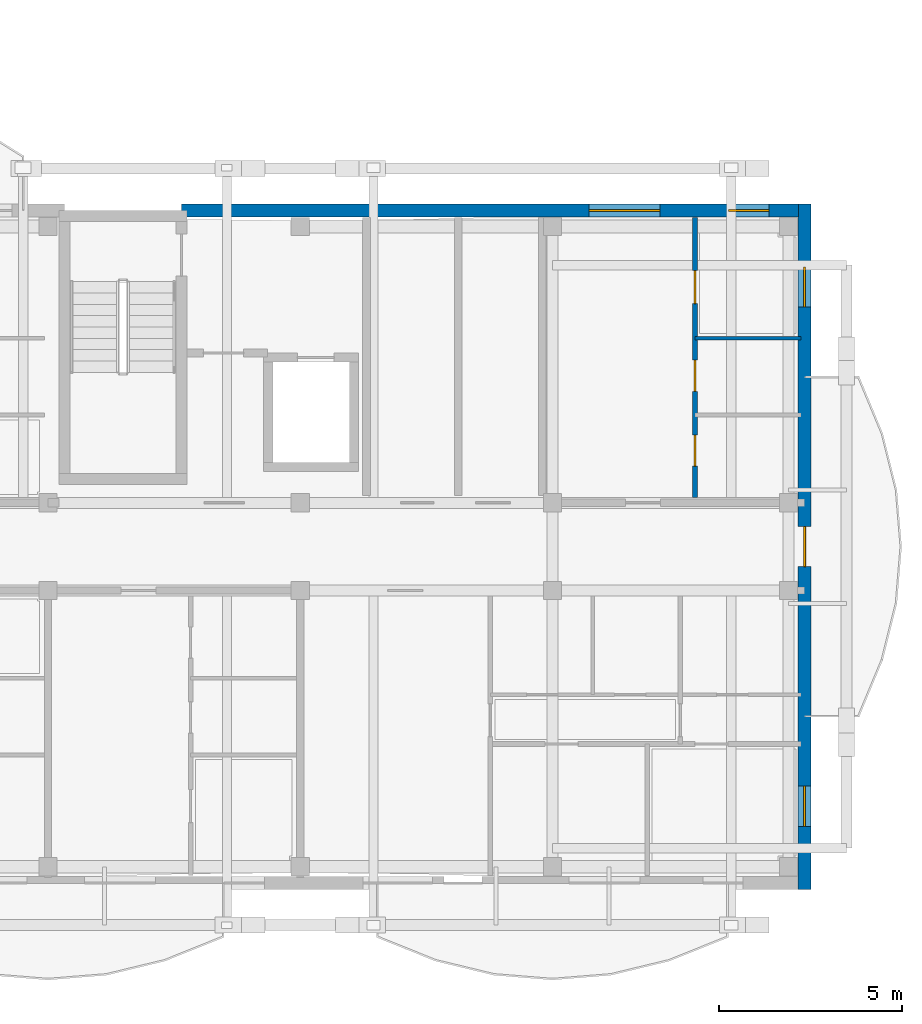
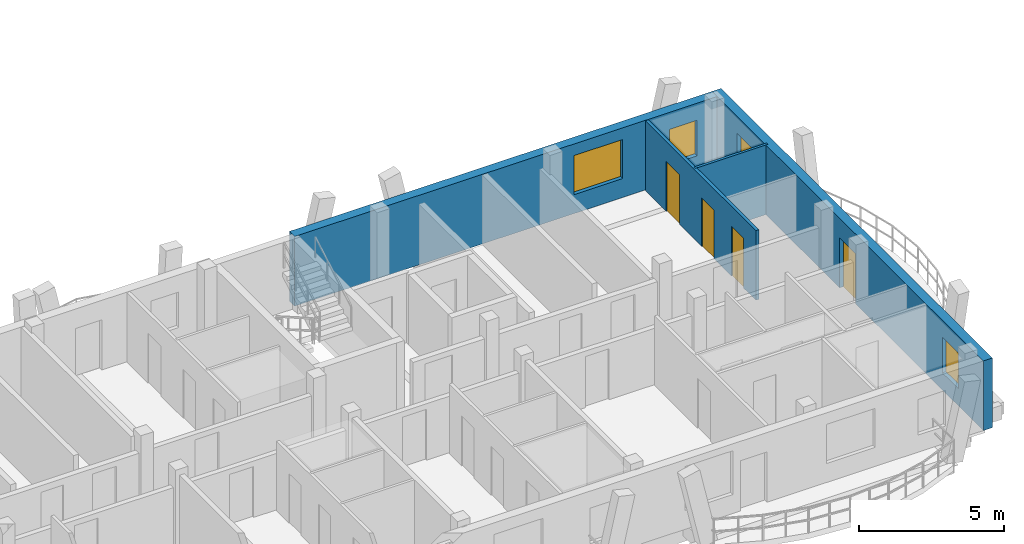
# One storey, part 33 of 50: 4 doors, 4 walls, 4 windows, 8 openings.
"""IFC4 building model written with IfcOpenShell, lengths in metres."""

from ifc_helpers import new_model, si_unit, direction, frame, frame_2d, origin, origin_with_axes, place, context, subcontext, project, spatial, rectangle, extrude, material, layer, layer_set, type_object, element, fill, save


model = new_model("IFC4")

# Units and contexts
model_context = context("Model", 3, precision=1e-05, world=origin(), true_north=direction((0.0, 1.0)))
body_context = subcontext(model_context, "Body", "Model", "MODEL_VIEW")
ifc_project = project(units=[si_unit("LENGTHUNIT", "METRE"), si_unit("AREAUNIT", "SQUARE_METRE"), si_unit("VOLUMEUNIT", "CUBIC_METRE"), si_unit("PLANEANGLEUNIT", "RADIAN"), si_unit("MASSUNIT", "GRAM", prefix="KILO")], contexts=[model_context])

# Site, building, storey
site_placement = place(None, origin())
site = spatial("IfcSite", under=ifc_project, at=site_placement, CompositionType="ELEMENT")
building_placement = place(site_placement, origin())
building = spatial("IfcBuilding", under=site, at=building_placement, Name="Zavelmont Quarter", CompositionType="ELEMENT")
storey_placement = place(building_placement, frame((0.0, 0.0, 11.199951171875)))
storey = spatial("IfcBuildingStorey", under=building, at=storey_placement, Name="L03", CompositionType="ELEMENT", Elevation=11.199951171875)

# Wall, openings, windows
ifc_material_1 = material(Name="Natural Belgian limestone", Category="masonry")
ifc_layer_1 = layer(ifc_material_1, 0.360107421875)
ifc_layer_set_1 = layer_set([ifc_layer_1], Name="Natural Belgian limestone")
wall_type_1 = type_object("IfcWallType", Name="EW02", PredefinedType="STANDARD", material=ifc_layer_set_1)
wall_1_placement = place(storey_placement, frame((150.949951171875, 18.39990234375, 0.0), z_axis=(0.0, 0.0, 1.0), x_axis=(1.0, 0.0, 0.0)))
wall_1 = element("IfcWall", 1, at=wall_1_placement, inside=storey, type_object=wall_type_1, Name="L03 exterior limestone wall EW02", PredefinedType="STANDARD", context=body_context, shape_type="SweptSolid", body=[
    extrude(rectangle(XDim=16.880126953125, YDim=0.360107421875, at=frame_2d((8.43994140625, 0.0))), origin(), (0.0, 0.0, 1.0), 2.93994140625),
])
opening_1_placement = place(wall_1_placement, frame((11.14501953125, 0.0, 0.800048828125)))
opening_1 = element("IfcOpeningElement", 2, at=opening_1_placement, cuts=wall_1, Name="Opening WN24", PredefinedType="OPENING", context=body_context, shape_type="SweptSolid", body=[
    extrude(rectangle(XDim=1.949951171875, YDim=1.64990234375, at=frame_2d((0.97509765625, 0.824951171875))), frame((0.0, 0.19189453125, 0.0), z_axis=(0.0, -1.0, 0.0), x_axis=(1.0, 0.0, 0.0)), (0.0, 0.0, 1.0), 0.384033203125),
])
opening_2_placement = place(wall_1_placement, frame((14.969970703125, 0.0, 0.719970703125)))
opening_2 = element("IfcOpeningElement", 3, at=opening_2_placement, cuts=wall_1, Name="Opening WN09", PredefinedType="OPENING", context=body_context, shape_type="SweptSolid", body=[
    extrude(rectangle(XDim=1.10009765625, YDim=1.5, at=frame_2d((0.550048828125, 0.75))), frame((0.0, 0.19189453125, 0.0), z_axis=(0.0, -1.0, 0.0), x_axis=(1.0, 0.0, 0.0)), (0.0, 0.0, 1.0), 0.384033203125),
])
ifc_material_2 = material(Name="Double low-E insulated glazing in thermally broken aluminium frame", Category="aluminium")
window_type_1 = type_object("IfcWindowType", Name="WN09", PartitioningType="SINGLE_PANEL", PredefinedType="WINDOW", material=ifc_material_2)
window_1_placement = place(opening_2_placement, origin_with_axes())
window_1 = element("IfcWindow", 4, at=window_1_placement, inside=storey, type_object=window_type_1, Name="L03 window WN09", OverallHeight=1.5, OverallWidth=1.10009765625, PartitioningType="SINGLE_PANEL", PredefinedType="WINDOW", context=body_context, shape_type="SweptSolid", body=[
    extrude(rectangle(XDim=1.10009765625, YDim=1.5, at=frame_2d((0.550048828125, 0.75))), frame((0.0, 0.030029296875, 0.0), z_axis=(0.0, -1.0, 0.0), x_axis=(1.0, 0.0, 0.0)), (0.0, 0.0, 1.0), 0.06005859375),
])
fill(opening_2, window_1)
window_type_2 = type_object("IfcWindowType", Name="WN24", PartitioningType="SINGLE_PANEL", PredefinedType="WINDOW", material=ifc_material_2)
window_2_placement = place(opening_1_placement, origin_with_axes())
window_2 = element("IfcWindow", 5, at=window_2_placement, inside=storey, type_object=window_type_2, Name="L03 window WN24", OverallHeight=1.64990234375, OverallWidth=1.949951171875, PartitioningType="SINGLE_PANEL", PredefinedType="WINDOW", context=body_context, shape_type="SweptSolid", body=[
    extrude(rectangle(XDim=1.949951171875, YDim=1.64990234375, at=frame_2d((0.97509765625, 0.824951171875))), frame((0.0, 0.030029296875, 0.0), z_axis=(0.0, -1.0, 0.0), x_axis=(1.0, 0.0, 0.0)), (0.0, 0.0, 1.0), 0.06005859375),
])
fill(opening_1, window_2)

# Wall, openings, door, windows
wall_2_placement = place(storey_placement, frame((168.0, -0.179931640625, 0.0), z_axis=(0.0, 0.0, 1.0), x_axis=(0.0, 1.0, 0.0)))
wall_2 = element("IfcWall", 6, at=wall_2_placement, inside=storey, type_object=wall_type_1, Name="L03 exterior limestone wall EW02", PredefinedType="STANDARD", context=body_context, shape_type="SweptSolid", body=[
    extrude(rectangle(XDim=18.760009765625, YDim=0.360107421875, at=frame_2d((9.3798828125, 0.0))), origin(), (0.0, 0.0, 1.0), 2.93994140625),
])
opening_3_placement = place(wall_2_placement, frame((8.830078125, 0.0, 0.0)))
opening_3 = element("IfcOpeningElement", 7, at=opening_3_placement, cuts=wall_2, Name="Opening DR04B", PredefinedType="OPENING", context=body_context, shape_type="SweptSolid", body=[
    extrude(rectangle(XDim=1.10009765625, YDim=2.10009765625, at=frame_2d((0.550048828125, 1.050048828125))), frame((0.0, 0.19189453125, 0.0), z_axis=(0.0, -1.0, 0.0), x_axis=(1.0, 0.0, 0.0)), (0.0, 0.0, 1.0), 0.384033203125),
])
opening_4_placement = place(wall_2_placement, frame((1.72998046875, 0.0, 0.719970703125)))
opening_4 = element("IfcOpeningElement", 8, at=opening_4_placement, cuts=wall_2, Name="Opening WN09", PredefinedType="OPENING", context=body_context, shape_type="SweptSolid", body=[
    extrude(rectangle(XDim=1.10009765625, YDim=1.5, at=frame_2d((0.550048828125, 0.75))), frame((0.0, 0.19189453125, 0.0), z_axis=(0.0, -1.0, 0.0), x_axis=(1.0, 0.0, 0.0)), (0.0, 0.0, 1.0), 0.384033203125),
])
opening_5_placement = place(wall_2_placement, frame((15.929931640625, 0.0, 0.719970703125)))
opening_5 = element("IfcOpeningElement", 9, at=opening_5_placement, cuts=wall_2, Name="Opening WN09", PredefinedType="OPENING", context=body_context, shape_type="SweptSolid", body=[
    extrude(rectangle(XDim=1.10009765625, YDim=1.5, at=frame_2d((0.550048828125, 0.75))), frame((0.0, 0.19189453125, 0.0), z_axis=(0.0, -1.0, 0.0), x_axis=(1.0, 0.0, 0.0)), (0.0, 0.0, 1.0), 0.384033203125),
])
ifc_material_3 = material(Name="Thermally broken aluminium and double safety glass", Category="aluminium")
door_type_1 = type_object("IfcDoorType", Name="DR04B", OperationType="NOTDEFINED", PredefinedType="DOOR", material=ifc_material_3)
door_1_placement = place(opening_3_placement, origin_with_axes())
door_1 = element("IfcDoor", 10, at=door_1_placement, inside=storey, type_object=door_type_1, Name="Block D L03 terrace or vase balcony door", OperationType="SINGLE_SWING_RIGHT", OverallHeight=2.10009765625, OverallWidth=1.10009765625, PredefinedType="DOOR", context=body_context, shape_type="SweptSolid", body=[
    extrude(rectangle(XDim=1.10009765625, YDim=2.10009765625, at=frame_2d((0.550048828125, 1.050048828125))), frame((0.0, 0.02490234375, 0.0), z_axis=(0.0, -1.0, 0.0), x_axis=(1.0, 0.0, 0.0)), (0.0, 0.0, 1.0), 0.050048828125),
])
fill(opening_3, door_1)
window_3_placement = place(opening_4_placement, origin_with_axes())
window_3 = element("IfcWindow", 11, at=window_3_placement, inside=storey, type_object=window_type_1, Name="L03 window WN09", OverallHeight=1.5, OverallWidth=1.10009765625, PartitioningType="SINGLE_PANEL", PredefinedType="WINDOW", context=body_context, shape_type="SweptSolid", body=[
    extrude(rectangle(XDim=1.10009765625, YDim=1.5, at=frame_2d((0.550048828125, 0.75))), frame((0.0, 0.030029296875, 0.0), z_axis=(0.0, -1.0, 0.0), x_axis=(1.0, 0.0, 0.0)), (0.0, 0.0, 1.0), 0.06005859375),
])
fill(opening_4, window_3)
window_4_placement = place(opening_5_placement, origin_with_axes())
window_4 = element("IfcWindow", 12, at=window_4_placement, inside=storey, type_object=window_type_1, Name="L03 window WN09", OverallHeight=1.5, OverallWidth=1.10009765625, PartitioningType="SINGLE_PANEL", PredefinedType="WINDOW", context=body_context, shape_type="SweptSolid", body=[
    extrude(rectangle(XDim=1.10009765625, YDim=1.5, at=frame_2d((0.550048828125, 0.75))), frame((0.0, 0.030029296875, 0.0), z_axis=(0.0, -1.0, 0.0), x_axis=(1.0, 0.0, 0.0)), (0.0, 0.0, 1.0), 0.06005859375),
])
fill(opening_5, window_4)

# Wall, openings, doors
ifc_material_4 = material(Name="Double gypsum board on acoustic steel stud", Category="steel")
ifc_layer_2 = layer(ifc_material_4, 0.125)
ifc_layer_set_2 = layer_set([ifc_layer_2], Name="Double gypsum board on acoustic steel stud")
wall_type_2 = type_object("IfcWallType", Name="IW03", PredefinedType="PARTITIONING", material=ifc_layer_set_2)
wall_3_placement = place(storey_placement, frame((165.0, 10.550048828125, 0.0), z_axis=(0.0, 0.0, 1.0), x_axis=(0.0, 1.0, 0.0)))
wall_3 = element("IfcWall", 13, at=wall_3_placement, inside=storey, type_object=wall_type_2, Name="L03 Partition IW03", PredefinedType="PARTITIONING", context=body_context, shape_type="SweptSolid", body=[
    extrude(rectangle(XDim=7.64990234375, YDim=0.125, at=frame_2d((3.824951171875, 0.0))), origin(), (0.0, 0.0, 1.0), 2.93994140625),
])
opening_6_placement = place(wall_3_placement, frame((0.85009765625, 0.0, 0.0)))
opening_6 = element("IfcOpeningElement", 14, at=opening_6_placement, cuts=wall_3, Name="Opening DR16", PredefinedType="OPENING", context=body_context, shape_type="SweptSolid", body=[
    extrude(rectangle(XDim=0.85009765625, YDim=2.10009765625, at=frame_2d((0.425048828125, 1.050048828125))), frame((0.0, 0.074462890625, 0.0), z_axis=(0.0, -1.0, 0.0), x_axis=(1.0, 0.0, 0.0)), (0.0, 0.0, 1.0), 0.14892578125),
])
opening_7_placement = place(wall_3_placement, frame((2.89990234375, 0.0, 0.0)))
opening_7 = element("IfcOpeningElement", 15, at=opening_7_placement, cuts=wall_3, Name="Opening DR06", PredefinedType="OPENING", context=body_context, shape_type="SweptSolid", body=[
    extrude(rectangle(XDim=0.85009765625, YDim=2.050048828125, at=frame_2d((0.425048828125, 1.02490234375))), frame((0.0, 0.074462890625, 0.0), z_axis=(0.0, -1.0, 0.0), x_axis=(1.0, 0.0, 0.0)), (0.0, 0.0, 1.0), 0.14892578125),
])
opening_8_placement = place(wall_3_placement, frame((5.300048828125, 0.0, 0.0)))
opening_8 = element("IfcOpeningElement", 16, at=opening_8_placement, cuts=wall_3, Name="Opening DR05", PredefinedType="OPENING", context=body_context, shape_type="SweptSolid", body=[
    extrude(rectangle(XDim=0.89990234375, YDim=2.10009765625, at=frame_2d((0.449951171875, 1.050048828125))), frame((0.0, 0.074462890625, 0.0), z_axis=(0.0, -1.0, 0.0), x_axis=(1.0, 0.0, 0.0)), (0.0, 0.0, 1.0), 0.14892578125),
])
ifc_material_5 = material(Name="Engineered oak flush interior door")
door_type_2 = type_object("IfcDoorType", Name="DR05", OperationType="NOTDEFINED", PredefinedType="DOOR", material=ifc_material_5)
door_2_placement = place(opening_8_placement, origin_with_axes())
door_2 = element("IfcDoor", 17, at=door_2_placement, inside=storey, type_object=door_type_2, Name="L03 door DR05", OperationType="SINGLE_SWING_RIGHT", OverallHeight=2.10009765625, OverallWidth=0.89990234375, PredefinedType="DOOR", context=body_context, shape_type="SweptSolid", body=[
    extrude(rectangle(XDim=0.89990234375, YDim=2.10009765625, at=frame_2d((0.449951171875, 1.050048828125))), frame((0.0, 0.02490234375, 0.0), z_axis=(0.0, -1.0, 0.0), x_axis=(1.0, 0.0, 0.0)), (0.0, 0.0, 1.0), 0.050048828125),
])
fill(opening_8, door_2)
ifc_material_6 = material(Name="Moisture-resistant painted wet-room door")
door_type_3 = type_object("IfcDoorType", Name="DR06", OperationType="NOTDEFINED", PredefinedType="DOOR", material=ifc_material_6)
door_3_placement = place(opening_7_placement, frame((0.85009765625, 0.0, 0.0), z_axis=(0.0, 0.0, 1.0), x_axis=(-1.0, 0.0, 0.0)))
door_3 = element("IfcDoor", 18, at=door_3_placement, inside=storey, type_object=door_type_3, Name="L03 door DR06", OperationType="SINGLE_SWING_LEFT", OverallHeight=2.050048828125, OverallWidth=0.85009765625, PredefinedType="DOOR", context=body_context, shape_type="SweptSolid", body=[
    extrude(rectangle(XDim=0.85009765625, YDim=2.050048828125, at=frame_2d((0.425048828125, 1.02490234375))), frame((0.0, 0.02490234375, 0.0), z_axis=(0.0, -1.0, 0.0), x_axis=(1.0, 0.0, 0.0)), (0.0, 0.0, 1.0), 0.050048828125),
])
fill(opening_7, door_3)
door_type_4 = type_object("IfcDoorType", Name="DR16", OperationType="NOTDEFINED", PredefinedType="DOOR", material=ifc_material_5)
door_4_placement = place(opening_6_placement, origin_with_axes())
door_4 = element("IfcDoor", 19, at=door_4_placement, inside=storey, type_object=door_type_4, Name="L03 door DR16", OperationType="SINGLE_SWING_RIGHT", OverallHeight=2.10009765625, OverallWidth=0.85009765625, PredefinedType="DOOR", context=body_context, shape_type="SweptSolid", body=[
    extrude(rectangle(XDim=0.85009765625, YDim=2.10009765625, at=frame_2d((0.425048828125, 1.050048828125))), frame((0.0, 0.02490234375, 0.0), z_axis=(0.0, -1.0, 0.0), x_axis=(1.0, 0.0, 0.0)), (0.0, 0.0, 1.0), 0.050048828125),
])
fill(opening_6, door_4)

# Wall
ifc_material_7 = material(Name="Moisture-resistant gypsum board on steel stud", Category="steel")
ifc_layer_3 = layer(ifc_material_7, 0.10009765625)
ifc_layer_set_3 = layer_set([ifc_layer_3], Name="Moisture-resistant gypsum board on steel stud")
wall_type_3 = type_object("IfcWallType", Name="IW04", PredefinedType="PARTITIONING", material=ifc_layer_set_3)
wall_4_placement = place(storey_placement, frame((165.0, 14.89990234375, 0.0), z_axis=(0.0, 0.0, 1.0), x_axis=(1.0, 0.0, 0.0)))
element("IfcWall", 20, at=wall_4_placement, inside=storey, type_object=wall_type_3, Name="L03 Partition IW04", PredefinedType="PARTITIONING", context=body_context, shape_type="SweptSolid", body=[
    extrude(rectangle(XDim=2.89990234375, YDim=0.10009765625, at=frame_2d((1.449951171875, 0.0))), origin(), (0.0, 0.0, 1.0), 2.93994140625),
])

save(model, "model.ifc")
